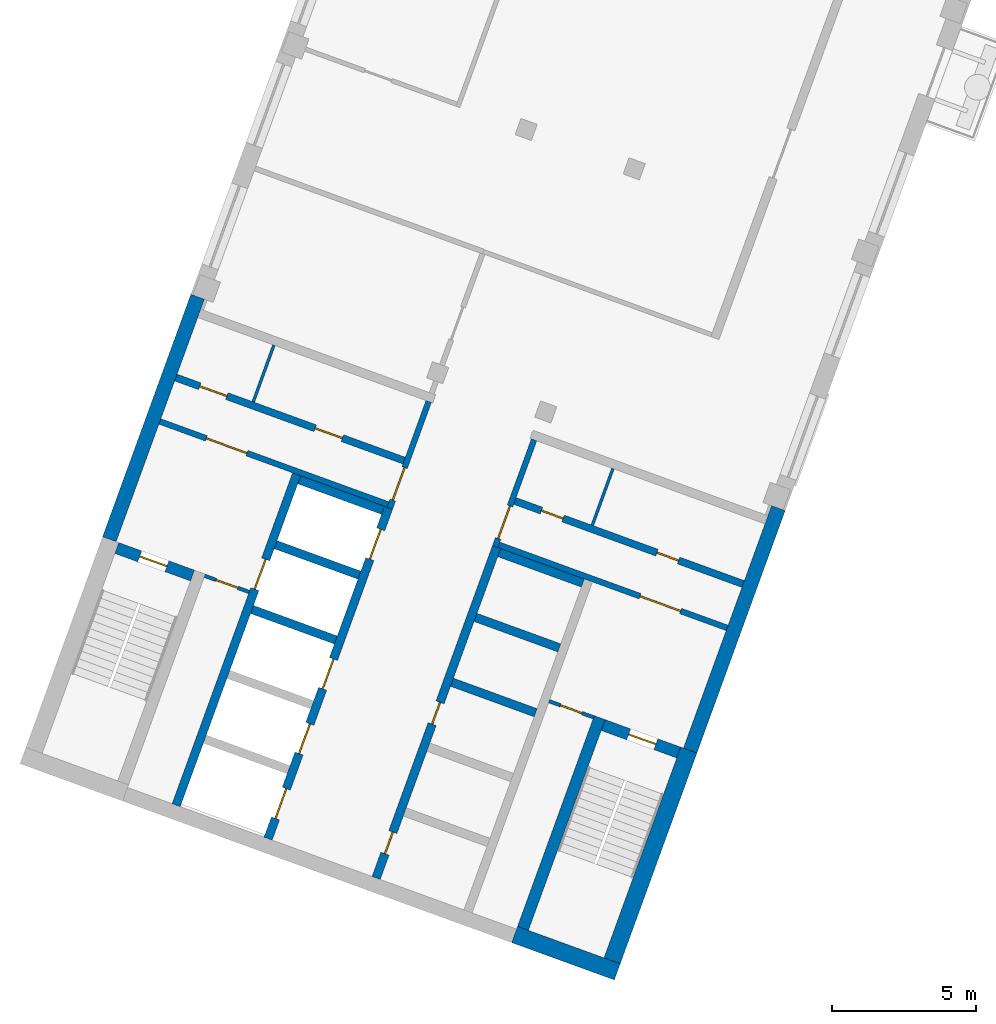
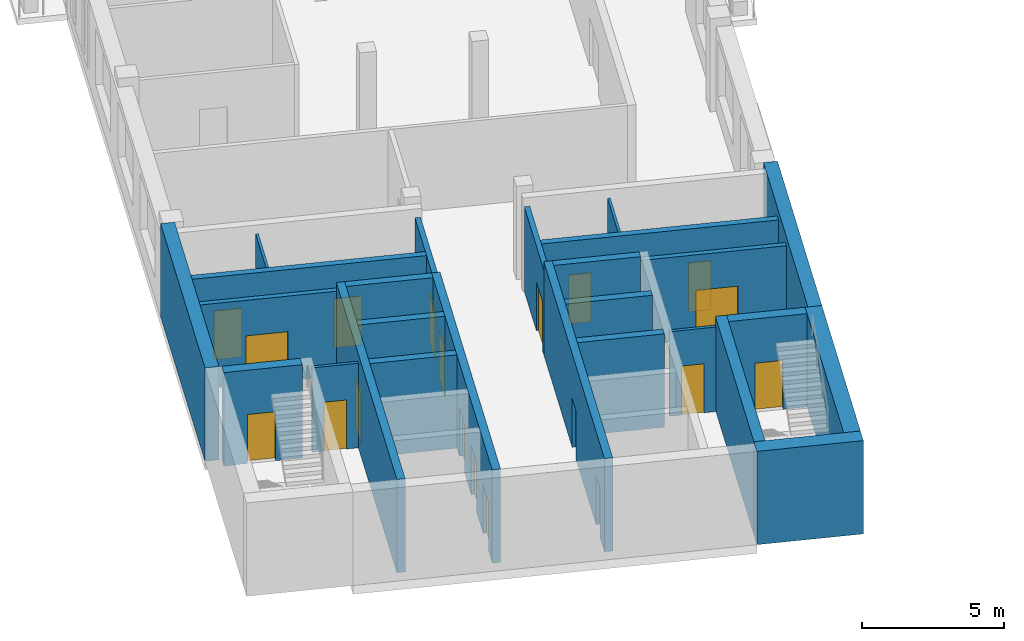
# One storey, part 2 of 10: 26 walls, 19 doors, 19 openings.
"""IFC4 building model written with IfcOpenShell, lengths in metres."""

from ifc_helpers import new_model, si_unit, direction, frame, frame_2d, origin, place, context, subcontext, project, spatial, rectangle, extrude, material, layer, layer_set, type_object, element, fill, save


model = new_model("IFC4")

# Units and contexts
model_context = context("Model", 3, precision=1e-05, world=origin(), true_north=direction((0.0, 1.0)))
body_context = subcontext(model_context, "Body", "Model", "MODEL_VIEW")
ifc_project = project(units=[si_unit("LENGTHUNIT", "METRE"), si_unit("AREAUNIT", "SQUARE_METRE"), si_unit("VOLUMEUNIT", "CUBIC_METRE"), si_unit("PLANEANGLEUNIT", "RADIAN"), si_unit("MASSUNIT", "GRAM", prefix="KILO")], contexts=[model_context])

# Site, building, storey
site_placement = place(None, origin())
site = spatial("IfcSite", under=ifc_project, at=site_placement, CompositionType="ELEMENT")
building_placement = place(site_placement, origin())
building = spatial("IfcBuilding", under=site, at=building_placement, Name="Skarvind Civic Tower", CompositionType="ELEMENT")
storey_placement = place(building_placement, frame((0.0, 0.0, 228.0)))
storey = spatial("IfcBuildingStorey", under=building, at=storey_placement, Name="L54", CompositionType="ELEMENT", Elevation=228.0)

# Wall, opening, door
ifc_material_1 = material(Name="Fire-rated masonry partition", Category="masonry")
ifc_layer_1 = layer(ifc_material_1, 0.199951171875)
ifc_layer_set_1 = layer_set([ifc_layer_1], Name="Core enclosure wall 200")
wall_type_1 = type_object("IfcWallType", Name="Core enclosure wall 200", PredefinedType="PARTITIONING", material=ifc_layer_set_1)
wall_1_placement = place(storey_placement, frame((31.42724609375, 93.663330078125, 0.0), z_axis=(0.0, 0.0, 1.0), x_axis=(0.342030870568, 0.93968871632, 0.0)))
wall_1 = element("IfcWall", 1, at=wall_1_placement, inside=storey, type_object=wall_type_1, Name="Core wall C2", PredefinedType="PARTITIONING", context=body_context, shape_type="SweptSolid", body=[
    extrude(rectangle(XDim=3.9501953125, YDim=0.199951171875, at=frame_2d((1.97509765625, 0.0))), origin(), (0.0, 0.0, 1.0), 3.625),
])
opening_1_placement = place(wall_1_placement, frame((0.300048828125, 0.0, 0.0)))
opening_1 = element("IfcOpeningElement", 2, at=opening_1_placement, cuts=wall_1, Name="Opening D-L54-C2-07", PredefinedType="OPENING", context=body_context, shape_type="SweptSolid", body=[
    extrude(rectangle(XDim=1.199951171875, YDim=2.10009765625, at=frame_2d((0.60009765625, 1.050048828125))), frame((0.0, 0.10986328125, 0.0), z_axis=(0.0, -1.0, 0.0), x_axis=(1.0, 0.0, 0.0)), (0.0, 0.0, 1.0), 0.219970703125),
])
ifc_material_2 = material(Name="Fire-rated steel door", Category="steel")
door_type_1 = type_object("IfcDoorType", Name="Core lobby door 1200", OperationType="NOTDEFINED", PredefinedType="DOOR", material=ifc_material_2)
door_1_placement = place(opening_1_placement, origin())
door_1 = element("IfcDoor", 3, at=door_1_placement, inside=storey, type_object=door_type_1, Name="Fire door", OperationType="DOUBLE_DOOR_SINGLE_SWING", OverallHeight=2.10009765625, OverallWidth=1.199951171875, PredefinedType="DOOR", context=body_context, shape_type="SweptSolid", body=[
    extrude(rectangle(XDim=1.199951171875, YDim=2.10009765625, at=frame_2d((0.60009765625, 1.050048828125))), frame((0.0, 0.02490234375, 0.0), z_axis=(0.0, -1.0, 0.0), x_axis=(1.0, 0.0, 0.0)), (0.0, 0.0, 1.0), 0.050048828125),
])
fill(opening_1, door_1)

wall_2_placement = place(storey_placement, frame((23.42724609375, 96.681640625, 0.0), z_axis=(0.0, 0.0, 1.0), x_axis=(0.939690465531, -0.342026064782, 0.0)))
wall_2 = element("IfcWall", 4, at=wall_2_placement, inside=storey, type_object=wall_type_1, Name="Core wall C2", PredefinedType="PARTITIONING", context=body_context, shape_type="SweptSolid", body=[
    extrude(rectangle(XDim=8.449951171875, YDim=0.199951171875, at=frame_2d((4.22509765625, 0.0))), origin(), (0.0, 0.0, 1.0), 3.625),
])
opening_2_placement = place(wall_2_placement, frame((1.72509765625, 0.0, 0.0)))
opening_2 = element("IfcOpeningElement", 5, at=opening_2_placement, cuts=wall_2, Name="Opening D-L54-C2-08", PredefinedType="OPENING", context=body_context, shape_type="SweptSolid", body=[
    extrude(rectangle(XDim=1.5, YDim=2.10009765625, at=frame_2d((0.75, 1.050048828125))), frame((0.0, 0.10986328125, 0.0), z_axis=(0.0, -1.0, 0.0), x_axis=(1.0, 0.0, 0.0)), (0.0, 0.0, 1.0), 0.219970703125),
])
door_type_2 = type_object("IfcDoorType", Name="Fire door 1500", OperationType="NOTDEFINED", PredefinedType="DOOR", material=ifc_material_2)
door_2_placement = place(opening_2_placement, origin())
door_2 = element("IfcDoor", 6, at=door_2_placement, inside=storey, type_object=door_type_2, Name="Fire door", OperationType="DOUBLE_DOOR_SINGLE_SWING", OverallHeight=2.10009765625, OverallWidth=1.5, PredefinedType="DOOR", context=body_context, shape_type="SweptSolid", body=[
    extrude(rectangle(XDim=1.5, YDim=2.10009765625, at=frame_2d((0.75, 1.050048828125))), frame((0.0, 0.02490234375, 0.0), z_axis=(0.0, -1.0, 0.0), x_axis=(1.0, 0.0, 0.0)), (0.0, 0.0, 1.0), 0.050048828125),
])
fill(opening_2, door_2)

wall_3_placement = place(storey_placement, frame((36.443115234375, 96.041259765625, 0.0), z_axis=(0.0, 0.0, 1.0), x_axis=(-0.341996156931, -0.939701350773, 0.0)))
wall_3 = element("IfcWall", 7, at=wall_3_placement, inside=storey, type_object=wall_type_1, Name="Core wall C2", PredefinedType="PARTITIONING", context=body_context, shape_type="SweptSolid", body=[
    extrude(rectangle(XDim=3.949951171875, YDim=0.199951171875, at=frame_2d((1.97509765625, 0.0))), origin(), (0.0, 0.0, 1.0), 3.625),
])
opening_3_placement = place(wall_3_placement, frame((2.449951171875, 0.0, 0.0)))
opening_3 = element("IfcOpeningElement", 8, at=opening_3_placement, cuts=wall_3, Name="Opening D-L54-C2-13", PredefinedType="OPENING", context=body_context, shape_type="SweptSolid", body=[
    extrude(rectangle(XDim=1.199951171875, YDim=2.10009765625, at=frame_2d((0.60009765625, 1.050048828125))), frame((0.0, 0.10986328125, 0.0), z_axis=(0.0, -1.0, 0.0), x_axis=(1.0, 0.0, 0.0)), (0.0, 0.0, 1.0), 0.219970703125),
])
door_3_placement = place(opening_3_placement, origin())
door_3 = element("IfcDoor", 9, at=door_3_placement, inside=storey, type_object=door_type_1, Name="Fire door", OperationType="DOUBLE_DOOR_SINGLE_SWING", OverallHeight=2.10009765625, OverallWidth=1.199951171875, PredefinedType="DOOR", context=body_context, shape_type="SweptSolid", body=[
    extrude(rectangle(XDim=1.199951171875, YDim=2.10009765625, at=frame_2d((0.60009765625, 1.050048828125))), frame((0.0, 0.02490234375, 0.0), z_axis=(0.0, -1.0, 0.0), x_axis=(1.0, 0.0, 0.0)), (0.0, 0.0, 1.0), 0.050048828125),
])
fill(opening_3, door_3)

wall_4_placement = place(storey_placement, frame((35.22021484375, 92.389404296875, 0.0), z_axis=(0.0, 0.0, 1.0), x_axis=(0.939690465531, -0.342026064782, 0.0)))
wall_4 = element("IfcWall", 10, at=wall_4_placement, inside=storey, type_object=wall_type_1, Name="Core wall C2", PredefinedType="PARTITIONING", context=body_context, shape_type="SweptSolid", body=[
    extrude(rectangle(XDim=8.449951171875, YDim=0.199951171875, at=frame_2d((4.22509765625, 0.0))), origin(), (0.0, 0.0, 1.0), 3.625),
])
opening_4_placement = place(wall_4_placement, frame((5.22509765625, 0.0, 0.0)))
opening_4 = element("IfcOpeningElement", 11, at=opening_4_placement, cuts=wall_4, Name="Opening D-L54-C2-14", PredefinedType="OPENING", context=body_context, shape_type="SweptSolid", body=[
    extrude(rectangle(XDim=1.5, YDim=2.10009765625, at=frame_2d((0.75, 1.050048828125))), frame((0.0, 0.10986328125, 0.0), z_axis=(0.0, -1.0, 0.0), x_axis=(1.0, 0.0, 0.0)), (0.0, 0.0, 1.0), 0.219970703125),
])
door_4_placement = place(opening_4_placement, origin())
door_4 = element("IfcDoor", 12, at=door_4_placement, inside=storey, type_object=door_type_2, Name="Fire door", OperationType="DOUBLE_DOOR_SINGLE_SWING", OverallHeight=2.10009765625, OverallWidth=1.5, PredefinedType="DOOR", context=body_context, shape_type="SweptSolid", body=[
    extrude(rectangle(XDim=1.5, YDim=2.10009765625, at=frame_2d((0.75, 1.050048828125))), frame((0.0, 0.02490234375, 0.0), z_axis=(0.0, -1.0, 0.0), x_axis=(1.0, 0.0, 0.0)), (0.0, 0.0, 1.0), 0.050048828125),
])
fill(opening_4, door_4)

# Walls
ifc_material_3 = material(Name="Fire-rated plasterboard partition")
ifc_layer_2 = layer(ifc_material_3, 0.10009765625)
ifc_layer_set_2 = layer_set([ifc_layer_2], Name="Core partition wall 100")
wall_type_2 = type_object("IfcWallType", Name="Core partition wall 100", PredefinedType="PARTITIONING", material=ifc_layer_set_2)
for number, where, z_axis, x_axis, name in (
    (13, (26.675537109375, 97.361572265625, 0.0), (0.0, 0.0, 1.0), (0.342023078919, 0.939691552312, 0.0), "Core wall C2"),
    (14, (39.18701171875, 95.04248046875, 0.0), (0.0, 0.0, 1.0), (-0.342023078919, -0.939691552312, 0.0), "Core wall C2"),
):
    element("IfcWall", number, at=place(storey_placement, frame(where, z_axis=z_axis, x_axis=x_axis)), inside=storey, type_object=wall_type_2, Name=name, PredefinedType="PARTITIONING", context=body_context, shape_type="SweptSolid", body=[
        extrude(rectangle(XDim=2.10009765625, YDim=0.10009765625, at=frame_2d((1.050048828125, 0.0))), origin(), (0.0, 0.0, 1.0), 3.625),
    ])

# Wall, openings, doors
ifc_material_4 = material(Name="Concrete C60", Category="concrete")
ifc_layer_3 = layer(ifc_material_4, 0.300048828125)
ifc_layer_set_3 = layer_set([ifc_layer_3], Name="Core wall 300 C60")
wall_type_3 = type_object("IfcWallType", Name="Core wall 300 C60", PredefinedType="SHEAR", material=ifc_layer_set_3)
wall_5_placement = place(storey_placement, frame((30.949462890625, 80.80126953125, 0.0), z_axis=(0.0, 0.0, 1.0), x_axis=(0.342016684409, 0.939693879721, 0.0)))
wall_5 = element("IfcWall", 15, at=wall_5_placement, inside=storey, type_object=wall_type_3, Name="Core wall C2 south lift row front L54", PredefinedType="SHEAR", context=body_context, shape_type="SweptSolid", body=[
    extrude(rectangle(XDim=12.25, YDim=0.300048828125, at=frame_2d((6.125, 0.0))), origin(), (0.0, 0.0, 1.0), 4.0),
])
opening_5_placement = place(wall_5_placement, frame((0.89990234375, 0.0, 0.0)))
opening_5 = element("IfcOpeningElement", 16, at=opening_5_placement, cuts=wall_5, Name="Opening D-L54-C2-05", PredefinedType="OPENING", context=body_context, shape_type="SweptSolid", body=[
    extrude(rectangle(XDim=0.800048828125, YDim=2.10009765625, at=frame_2d((0.39990234375, 1.050048828125))), frame((0.0, 0.159912109375, 0.0), z_axis=(0.0, -1.0, 0.0), x_axis=(1.0, 0.0, 0.0)), (0.0, 0.0, 1.0), 0.320068359375),
])
opening_6_placement = place(wall_5_placement, frame((5.699951171875, 0.0, 0.0)))
opening_6 = element("IfcOpeningElement", 17, at=opening_6_placement, cuts=wall_5, Name="Opening D-L54-C2-06", PredefinedType="OPENING", context=body_context, shape_type="SweptSolid", body=[
    extrude(rectangle(XDim=0.800048828125, YDim=2.10009765625, at=frame_2d((0.39990234375, 1.050048828125))), frame((0.0, 0.159912109375, 0.0), z_axis=(0.0, -1.0, 0.0), x_axis=(1.0, 0.0, 0.0)), (0.0, 0.0, 1.0), 0.320068359375),
])
door_type_3 = type_object("IfcDoorType", Name="Core riser door 800", OperationType="NOTDEFINED", PredefinedType="DOOR", material=ifc_material_2)
door_5_placement = place(opening_5_placement, origin())
door_5 = element("IfcDoor", 18, at=door_5_placement, inside=storey, type_object=door_type_3, Name="Riser door", OperationType="SINGLE_SWING_LEFT", OverallHeight=2.10009765625, OverallWidth=0.800048828125, PredefinedType="DOOR", context=body_context, shape_type="SweptSolid", body=[
    extrude(rectangle(XDim=0.800048828125, YDim=2.10009765625, at=frame_2d((0.39990234375, 1.050048828125))), frame((0.0, 0.02490234375, 0.0), z_axis=(0.0, -1.0, 0.0), x_axis=(1.0, 0.0, 0.0)), (0.0, 0.0, 1.0), 0.050048828125),
])
fill(opening_5, door_5)
door_6_placement = place(opening_6_placement, origin())
door_6 = element("IfcDoor", 19, at=door_6_placement, inside=storey, type_object=door_type_3, Name="Riser door", OperationType="SINGLE_SWING_RIGHT", OverallHeight=2.10009765625, OverallWidth=0.800048828125, PredefinedType="DOOR", context=body_context, shape_type="SweptSolid", body=[
    extrude(rectangle(XDim=0.800048828125, YDim=2.10009765625, at=frame_2d((0.39990234375, 1.050048828125))), frame((0.0, 0.02490234375, 0.0), z_axis=(0.0, -1.0, 0.0), x_axis=(1.0, 0.0, 0.0)), (0.0, 0.0, 1.0), 0.050048828125),
])
fill(opening_6, door_6)

# Walls
for number, where, z_axis, x_axis, name in (
    (20, (36.500244140625, 86.54931640625, 0.0), (0.0, 0.0, 1.0), (-0.939689908313, 0.342027595692, 0.0), "Core wall C2 south lift row division 3 L54"),
    (21, (37.321044921875, 88.8046875, 0.0), (0.0, 0.0, 1.0), (-0.939689908313, 0.342027595692, 0.0), "Core wall C2 south lift row division 4 L54"),
    (22, (38.141845703125, 91.059814453125, 0.0), (0.0, 0.0, 1.0), (-0.939689908313, 0.342027595692, 0.0), "Core wall C2 south lift row division 5 L54"),
):
    element("IfcWall", number, at=place(storey_placement, frame(where, z_axis=z_axis, x_axis=x_axis)), inside=storey, type_object=wall_type_3, Name=name, PredefinedType="SHEAR", context=body_context, shape_type="SweptSolid", body=[
        extrude(rectangle(XDim=3.10009765625, YDim=0.300048828125, at=frame_2d((1.550048828125, 0.0))), origin(), (0.0, 0.0, 1.0), 4.0),
    ])

# Wall, openings, doors
wall_6_placement = place(storey_placement, frame((27.190673828125, 82.169189453125, 0.0), z_axis=(0.0, 0.0, 1.0), x_axis=(0.342016684409, 0.939693879721, 0.0)))
wall_6 = element("IfcWall", 23, at=wall_6_placement, inside=storey, type_object=wall_type_3, Name="Core wall C2 north lift row front L54", PredefinedType="SHEAR", context=body_context, shape_type="SweptSolid", body=[
    extrude(rectangle(XDim=12.25, YDim=0.300048828125, at=frame_2d((6.125, 0.0))), origin(), (0.0, 0.0, 1.0), 4.0),
])
opening_7_placement = place(wall_6_placement, frame((0.75, 0.0, 0.0)))
opening_7 = element("IfcOpeningElement", 24, at=opening_7_placement, cuts=wall_6, Name="Opening LD56201", PredefinedType="OPENING", context=body_context, shape_type="SweptSolid", body=[
    extrude(rectangle(XDim=1.10009765625, YDim=2.10009765625, at=frame_2d((0.550048828125, 1.050048828125))), frame((0.0, 0.159912109375, 0.0), z_axis=(0.0, -1.0, 0.0), x_axis=(1.0, 0.0, 0.0)), (0.0, 0.0, 1.0), 0.320068359375),
])
opening_8_placement = place(wall_6_placement, frame((3.14990234375, 0.0, 0.0)))
opening_8 = element("IfcOpeningElement", 25, at=opening_8_placement, cuts=wall_6, Name="Opening LD56202", PredefinedType="OPENING", context=body_context, shape_type="SweptSolid", body=[
    extrude(rectangle(XDim=1.10009765625, YDim=2.10009765625, at=frame_2d((0.550048828125, 1.050048828125))), frame((0.0, 0.159912109375, 0.0), z_axis=(0.0, -1.0, 0.0), x_axis=(1.0, 0.0, 0.0)), (0.0, 0.0, 1.0), 0.320068359375),
])
opening_9_placement = place(wall_6_placement, frame((5.550048828125, 0.0, 0.0)))
opening_9 = element("IfcOpeningElement", 26, at=opening_9_placement, cuts=wall_6, Name="Opening LD56203", PredefinedType="OPENING", context=body_context, shape_type="SweptSolid", body=[
    extrude(rectangle(XDim=1.10009765625, YDim=2.10009765625, at=frame_2d((0.550048828125, 1.050048828125))), frame((0.0, 0.159912109375, 0.0), z_axis=(0.0, -1.0, 0.0), x_axis=(1.0, 0.0, 0.0)), (0.0, 0.0, 1.0), 0.320068359375),
])
opening_10_placement = place(wall_6_placement, frame((10.35009765625, 0.0, 0.0)))
opening_10 = element("IfcOpeningElement", 27, at=opening_10_placement, cuts=wall_6, Name="Opening LD56205", PredefinedType="OPENING", context=body_context, shape_type="SweptSolid", body=[
    extrude(rectangle(XDim=1.10009765625, YDim=2.10009765625, at=frame_2d((0.550048828125, 1.050048828125))), frame((0.0, 0.159912109375, 0.0), z_axis=(0.0, -1.0, 0.0), x_axis=(1.0, 0.0, 0.0)), (0.0, 0.0, 1.0), 0.320068359375),
])
ifc_material_5 = material(Name="Stainless steel landing door", Category="steel")
door_type_4 = type_object("IfcDoorType", Name="Lift landing door 1100", OperationType="DOUBLE_DOOR_SLIDING", PredefinedType="DOOR", material=ifc_material_5)
door_7_placement = place(opening_7_placement, origin())
door_7 = element("IfcDoor", 28, at=door_7_placement, inside=storey, type_object=door_type_4, Name="Lift landing door", OperationType="DOUBLE_DOOR_SLIDING", OverallHeight=2.10009765625, OverallWidth=1.10009765625, PredefinedType="DOOR", context=body_context, shape_type="SweptSolid", body=[
    extrude(rectangle(XDim=1.10009765625, YDim=2.10009765625, at=frame_2d((0.550048828125, 1.050048828125))), frame((0.0, 0.02490234375, 0.0), z_axis=(0.0, -1.0, 0.0), x_axis=(1.0, 0.0, 0.0)), (0.0, 0.0, 1.0), 0.050048828125),
])
fill(opening_7, door_7)
door_8_placement = place(opening_8_placement, origin())
door_8 = element("IfcDoor", 29, at=door_8_placement, inside=storey, type_object=door_type_4, Name="Lift landing door", OperationType="DOUBLE_DOOR_SLIDING", OverallHeight=2.10009765625, OverallWidth=1.10009765625, PredefinedType="DOOR", context=body_context, shape_type="SweptSolid", body=[
    extrude(rectangle(XDim=1.10009765625, YDim=2.10009765625, at=frame_2d((0.550048828125, 1.050048828125))), frame((0.0, 0.02490234375, 0.0), z_axis=(0.0, -1.0, 0.0), x_axis=(1.0, 0.0, 0.0)), (0.0, 0.0, 1.0), 0.050048828125),
])
fill(opening_8, door_8)
door_9_placement = place(opening_9_placement, origin())
door_9 = element("IfcDoor", 30, at=door_9_placement, inside=storey, type_object=door_type_4, Name="Lift landing door", OperationType="DOUBLE_DOOR_SLIDING", OverallHeight=2.10009765625, OverallWidth=1.10009765625, PredefinedType="DOOR", context=body_context, shape_type="SweptSolid", body=[
    extrude(rectangle(XDim=1.10009765625, YDim=2.10009765625, at=frame_2d((0.550048828125, 1.050048828125))), frame((0.0, 0.02490234375, 0.0), z_axis=(0.0, -1.0, 0.0), x_axis=(1.0, 0.0, 0.0)), (0.0, 0.0, 1.0), 0.050048828125),
])
fill(opening_9, door_9)
door_10_placement = place(opening_10_placement, origin())
door_10 = element("IfcDoor", 31, at=door_10_placement, inside=storey, type_object=door_type_4, Name="Lift landing door", OperationType="DOUBLE_DOOR_SLIDING", OverallHeight=2.10009765625, OverallWidth=1.10009765625, PredefinedType="DOOR", context=body_context, shape_type="SweptSolid", body=[
    extrude(rectangle(XDim=1.10009765625, YDim=2.10009765625, at=frame_2d((0.550048828125, 1.050048828125))), frame((0.0, 0.02490234375, 0.0), z_axis=(0.0, -1.0, 0.0), x_axis=(1.0, 0.0, 0.0)), (0.0, 0.0, 1.0), 0.050048828125),
])
fill(opening_10, door_10)

# Wall, opening, door
wall_7_placement = place(storey_placement, frame((23.99560546875, 83.33203125, 0.0), z_axis=(0.0, 0.0, 1.0), x_axis=(0.342016684409, 0.939693879721, 0.0)))
wall_7 = element("IfcWall", 32, at=wall_7_placement, inside=storey, type_object=wall_type_3, Name="Core wall C2 north lift row back L54", PredefinedType="SHEAR", context=body_context, shape_type="SweptSolid", body=[
    extrude(rectangle(XDim=12.25, YDim=0.300048828125, at=frame_2d((6.125, 0.0))), origin(), (0.0, 0.0, 1.0), 4.0),
])
opening_11_placement = place(wall_7_placement, frame((8.0, 0.0, 0.0)))
opening_11 = element("IfcOpeningElement", 33, at=opening_11_placement, cuts=wall_7, Name="Opening LD56204", PredefinedType="OPENING", context=body_context, shape_type="SweptSolid", body=[
    extrude(rectangle(XDim=1.10009765625, YDim=2.10009765625, at=frame_2d((0.550048828125, 1.050048828125))), frame((0.0, 0.159912109375, 0.0), z_axis=(0.0, -1.0, 0.0), x_axis=(1.0, 0.0, 0.0)), (0.0, 0.0, 1.0), 0.320068359375),
])
door_11_placement = place(opening_11_placement, origin())
door_11 = element("IfcDoor", 34, at=door_11_placement, inside=storey, type_object=door_type_4, Name="Lift landing door", OperationType="DOUBLE_DOOR_SLIDING", OverallHeight=2.10009765625, OverallWidth=1.10009765625, PredefinedType="DOOR", context=body_context, shape_type="SweptSolid", body=[
    extrude(rectangle(XDim=1.10009765625, YDim=2.10009765625, at=frame_2d((0.550048828125, 1.050048828125))), frame((0.0, 0.02490234375, 0.0), z_axis=(0.0, -1.0, 0.0), x_axis=(1.0, 0.0, 0.0)), (0.0, 0.0, 1.0), 0.050048828125),
])
fill(opening_11, door_11)

# Walls
wall_8_placement = place(storey_placement, frame((29.54638671875, 89.080322265625, 0.0), z_axis=(0.0, 0.0, 1.0), x_axis=(-0.939689908313, 0.342027595692, 0.0)))
element("IfcWall", 35, at=wall_8_placement, inside=storey, type_object=wall_type_3, Name="Core wall C2 north lift row division 3 L54", PredefinedType="SHEAR", context=body_context, shape_type="SweptSolid", body=[
    extrude(rectangle(XDim=3.10009765625, YDim=0.300048828125, at=frame_2d((1.550048828125, 0.0))), origin(), (0.0, 0.0, 1.0), 4.0),
])
for number, where, z_axis, x_axis, name in (
    (36, (30.3671875, 91.335693359375, 0.0), (0.0, 0.0, 1.0), (-0.939715217871, 0.341958051961, 0.0), "Core wall C2 north lift row division 4 L54"),
    (37, (31.18798828125, 93.5908203125, 0.0), (0.0, 0.0, 1.0), (-0.939680694448, 0.342052908892, 0.0), "Core wall C2 north lift row division 5 L54"),
):
    element("IfcWall", number, at=place(storey_placement, frame(where, z_axis=z_axis, x_axis=x_axis)), inside=storey, type_object=wall_type_3, Name=name, PredefinedType="SHEAR", context=body_context, shape_type="SweptSolid", body=[
        extrude(rectangle(XDim=3.099853515625, YDim=0.300048828125, at=frame_2d((1.5498046875, 0.0))), origin(), (0.0, 0.0, 1.0), 4.0),
    ])
ifc_layer_4 = layer(ifc_material_4, 0.39990234375)
ifc_layer_set_4 = layer_set([ifc_layer_4], Name="Core wall 400 C60")
wall_type_4 = type_object("IfcWallType", Name="Core wall 400 C60", PredefinedType="SHEAR", material=ifc_layer_set_4)
wall_9_placement = place(storey_placement, frame((36.057861328125, 79.04833984375, 0.0), z_axis=(0.0, 0.0, 1.0), x_axis=(0.342016982193, 0.939693771338, 0.0)))
element("IfcWall", 38, at=wall_9_placement, inside=storey, type_object=wall_type_4, Name="Core wall C2 south stair inner L54", PredefinedType="SHEAR", context=body_context, shape_type="SweptSolid", body=[
    extrude(rectangle(XDim=7.800048828125, YDim=0.39990234375, at=frame_2d((3.89990234375, 0.0))), origin(), (0.0, 0.0, 1.0), 4.0),
])

# Wall, opening, door
wall_10_placement = place(storey_placement, frame((41.476318359375, 85.163818359375, 0.0), z_axis=(0.0, 0.0, 1.0), x_axis=(-0.939678810556, 0.342058084236, 0.0)))
wall_10 = element("IfcWall", 39, at=wall_10_placement, inside=storey, type_object=wall_type_4, Name="Core wall C2 south stair end L54", PredefinedType="SHEAR", context=body_context, shape_type="SweptSolid", body=[
    extrude(rectangle(XDim=2.800048828125, YDim=0.39990234375, at=frame_2d((1.39990234375, 0.0))), origin(), (0.0, 0.0, 1.0), 4.0),
])
opening_12_placement = place(wall_10_placement, frame((0.85009765625, 0.0, 0.0)))
opening_12 = element("IfcOpeningElement", 40, at=opening_12_placement, cuts=wall_10, Name="Opening D-L54-C2-15", PredefinedType="OPENING", context=body_context, shape_type="SweptSolid", body=[
    extrude(rectangle(XDim=1.0, YDim=2.10009765625, at=frame_2d((0.5, 1.050048828125))), frame((0.0, 0.2099609375, 0.0), z_axis=(0.0, -1.0, 0.0), x_axis=(1.0, 0.0, 0.0)), (0.0, 0.0, 1.0), 0.419921875),
])
door_type_5 = type_object("IfcDoorType", Name="Fire door 1000", OperationType="NOTDEFINED", PredefinedType="DOOR", material=ifc_material_2)
door_12_placement = place(opening_12_placement, origin())
door_12 = element("IfcDoor", 41, at=door_12_placement, inside=storey, type_object=door_type_5, Name="Fire door", OperationType="SINGLE_SWING_RIGHT", OverallHeight=2.10009765625, OverallWidth=1.0, PredefinedType="DOOR", context=body_context, shape_type="SweptSolid", body=[
    extrude(rectangle(XDim=1.0, YDim=2.10009765625, at=frame_2d((0.5, 1.050048828125))), frame((0.0, 0.02490234375, 0.0), z_axis=(0.0, -1.0, 0.0), x_axis=(1.0, 0.0, 0.0)), (0.0, 0.0, 1.0), 0.050048828125),
])
fill(opening_12, door_12)

wall_11_placement = place(storey_placement, frame((24.56201171875, 91.3203125, 0.0), z_axis=(0.0, 0.0, 1.0), x_axis=(-0.939717030584, 0.341953070509, 0.0)))
wall_11 = element("IfcWall", 42, at=wall_11_placement, inside=storey, type_object=wall_type_4, Name="Core wall C2 north stair end L54", PredefinedType="SHEAR", context=body_context, shape_type="SweptSolid", body=[
    extrude(rectangle(XDim=2.800048828125, YDim=0.39990234375, at=frame_2d((1.39990234375, 0.0))), origin(), (0.0, 0.0, 1.0), 4.0),
])
opening_13_placement = place(wall_11_placement, frame((0.949951171875, 0.0, 0.0)))
opening_13 = element("IfcOpeningElement", 43, at=opening_13_placement, cuts=wall_11, Name="Opening D-L54-C2-09", PredefinedType="OPENING", context=body_context, shape_type="SweptSolid", body=[
    extrude(rectangle(XDim=1.0, YDim=2.10009765625, at=frame_2d((0.5, 1.050048828125))), frame((0.0, 0.2099609375, 0.0), z_axis=(0.0, -1.0, 0.0), x_axis=(1.0, 0.0, 0.0)), (0.0, 0.0, 1.0), 0.419921875),
])
door_13_placement = place(opening_13_placement, origin())
door_13 = element("IfcDoor", 44, at=door_13_placement, inside=storey, type_object=door_type_5, Name="Fire door", OperationType="SINGLE_SWING_LEFT", OverallHeight=2.10009765625, OverallWidth=1.0, PredefinedType="DOOR", context=body_context, shape_type="SweptSolid", body=[
    extrude(rectangle(XDim=1.0, YDim=2.10009765625, at=frame_2d((0.5, 1.050048828125))), frame((0.0, 0.02490234375, 0.0), z_axis=(0.0, -1.0, 0.0), x_axis=(1.0, 0.0, 0.0)), (0.0, 0.0, 1.0), 0.050048828125),
])
fill(opening_13, door_13)

# Walls
ifc_layer_5 = layer(ifc_material_4, 0.5)
ifc_layer_set_5 = layer_set([ifc_layer_5], Name="Core wall 500 C60")
wall_type_5 = type_object("IfcWallType", Name="Core wall 500 C60", PredefinedType="SHEAR", material=ifc_layer_set_5)
wall_12_placement = place(storey_placement, frame((41.873779296875, 85.232177734375, 0.0), z_axis=(0.0, 0.0, 1.0), x_axis=(0.342020437038, 0.939692513883, 0.0)))
element("IfcWall", 45, at=wall_12_placement, inside=storey, type_object=wall_type_5, Name="Core wall C2 south side L54", PredefinedType="SHEAR", context=body_context, shape_type="SweptSolid", body=[
    extrude(rectangle(XDim=8.974853515625, YDim=0.5, at=frame_2d((4.4873046875, 0.0))), origin(), (0.0, 0.0, 1.0), 4.0),
])
wall_13_placement = place(storey_placement, frame((21.670166015625, 92.58544921875, 0.0), z_axis=(0.0, 0.0, 1.0), x_axis=(0.342035714298, 0.93968695327, 0.0)))
element("IfcWall", 46, at=wall_13_placement, inside=storey, type_object=wall_type_5, Name="Core wall C2 north side L54", PredefinedType="SHEAR", context=body_context, shape_type="SweptSolid", body=[
    extrude(rectangle(XDim=8.97509765625, YDim=0.5, at=frame_2d((4.487548828125, 0.0))), origin(), (0.0, 0.0, 1.0), 4.0),
])
ifc_layer_6 = layer(ifc_material_4, 0.60009765625)
ifc_layer_set_6 = layer_set([ifc_layer_6], Name="Core wall 600 C60")
wall_type_6 = type_object("IfcWallType", Name="Core wall 600 C60", PredefinedType="SHEAR", material=ifc_layer_set_6)
wall_14_placement = place(storey_placement, frame((39.338134765625, 77.53515625, 0.0), z_axis=(0.0, 0.0, 1.0), x_axis=(-0.939701471648, 0.341995824804, 0.0)))
element("IfcWall", 47, at=wall_14_placement, inside=storey, type_object=wall_type_6, Name="Core wall C2 tip at the south stair L54", PredefinedType="SHEAR", context=body_context, shape_type="SweptSolid", body=[
    extrude(rectangle(XDim=3.800048828125, YDim=0.60009765625, at=frame_2d((1.89990234375, 0.0))), origin(), (0.0, 0.0, 1.0), 4.0),
])
wall_15_placement = place(storey_placement, frame((39.158935546875, 77.919677734375, 0.0), z_axis=(0.0, 0.0, 1.0), x_axis=(0.342016982193, 0.939693771338, 0.0)))
element("IfcWall", 48, at=wall_15_placement, inside=storey, type_object=wall_type_6, Name="Core wall C2 south side at the stair L54", PredefinedType="SHEAR", context=body_context, shape_type="SweptSolid", body=[
    extrude(rectangle(XDim=7.800048828125, YDim=0.60009765625, at=frame_2d((3.89990234375, 0.0))), origin(), (0.0, 0.0, 1.0), 4.0),
])

# Wall, opening, door
ifc_layer_7 = layer(ifc_material_1, 0.125)
ifc_layer_set_7 = layer_set([ifc_layer_7], Name="Riser wall 125")
wall_type_7 = type_object("IfcWallType", Name="Riser wall 125", PredefinedType="PARTITIONING", material=ifc_layer_set_7)
wall_16_placement = place(storey_placement, frame((24.98486328125, 91.3125, 0.0), z_axis=(0.0, 0.0, 1.0), x_axis=(0.939719959755, -0.341945020783, 0.0)))
wall_16 = element("IfcWall", 49, at=wall_16_placement, inside=storey, type_object=wall_type_7, Name="Core wall C2", PredefinedType="PARTITIONING", context=body_context, shape_type="SweptSolid", body=[
    extrude(rectangle(XDim=1.64990234375, YDim=0.125, at=frame_2d((0.824951171875, 0.0))), origin(), (0.0, 0.0, 1.0), 3.625),
])
opening_14_placement = place(wall_16_placement, frame((0.425048828125, 0.0, 0.0)))
opening_14 = element("IfcOpeningElement", 50, at=opening_14_placement, cuts=wall_16, Name="Opening D-L54-C2-10", PredefinedType="OPENING", context=body_context, shape_type="SweptSolid", body=[
    extrude(rectangle(XDim=0.800048828125, YDim=2.10009765625, at=frame_2d((0.39990234375, 1.050048828125))), frame((0.0, 0.072509765625, 0.0), z_axis=(0.0, -1.0, 0.0), x_axis=(1.0, 0.0, 0.0)), (0.0, 0.0, 1.0), 0.14501953125),
])
door_14_placement = place(opening_14_placement, origin())
door_14 = element("IfcDoor", 51, at=door_14_placement, inside=storey, type_object=door_type_3, Name="Riser door", OperationType="SINGLE_SWING_RIGHT", OverallHeight=2.10009765625, OverallWidth=0.800048828125, PredefinedType="DOOR", context=body_context, shape_type="SweptSolid", body=[
    extrude(rectangle(XDim=0.800048828125, YDim=2.10009765625, at=frame_2d((0.39990234375, 1.050048828125))), frame((0.0, 0.02490234375, 0.0), z_axis=(0.0, -1.0, 0.0), x_axis=(1.0, 0.0, 0.0)), (0.0, 0.0, 1.0), 0.050048828125),
])
fill(opening_14, door_14)

wall_17_placement = place(storey_placement, frame((36.9658203125, 86.951904296875, 0.0), z_axis=(0.0, 0.0, 1.0), x_axis=(0.939672407396, -0.342075674051, 0.0)))
wall_17 = element("IfcWall", 52, at=wall_17_placement, inside=storey, type_object=wall_type_7, Name="Core wall C2", PredefinedType="PARTITIONING", context=body_context, shape_type="SweptSolid", body=[
    extrude(rectangle(XDim=1.650146484375, YDim=0.125, at=frame_2d((0.8251953125, 0.0))), origin(), (0.0, 0.0, 1.0), 3.625),
])
opening_15_placement = place(wall_17_placement, frame((0.425048828125, 0.0, 0.0)))
opening_15 = element("IfcOpeningElement", 53, at=opening_15_placement, cuts=wall_17, Name="Opening D-L54-C2-16", PredefinedType="OPENING", context=body_context, shape_type="SweptSolid", body=[
    extrude(rectangle(XDim=0.800048828125, YDim=2.10009765625, at=frame_2d((0.39990234375, 1.050048828125))), frame((0.0, 0.072509765625, 0.0), z_axis=(0.0, -1.0, 0.0), x_axis=(1.0, 0.0, 0.0)), (0.0, 0.0, 1.0), 0.14501953125),
])
door_15_placement = place(opening_15_placement, origin())
door_15 = element("IfcDoor", 54, at=door_15_placement, inside=storey, type_object=door_type_3, Name="Riser door", OperationType="SINGLE_SWING_LEFT", OverallHeight=2.10009765625, OverallWidth=0.800048828125, PredefinedType="DOOR", context=body_context, shape_type="SweptSolid", body=[
    extrude(rectangle(XDim=0.800048828125, YDim=2.10009765625, at=frame_2d((0.39990234375, 1.050048828125))), frame((0.0, 0.02490234375, 0.0), z_axis=(0.0, -1.0, 0.0), x_axis=(1.0, 0.0, 0.0)), (0.0, 0.0, 1.0), 0.050048828125),
])
fill(opening_15, door_15)

# Wall, openings, doors
ifc_layer_8 = layer(ifc_material_1, 0.25)
ifc_layer_set_8 = layer_set([ifc_layer_8], Name="Service block wall 250")
wall_type_8 = type_object("IfcWallType", Name="Service block wall 250", PredefinedType="PARTITIONING", material=ifc_layer_set_8)
wall_18_placement = place(storey_placement, frame((23.98291015625, 98.20849609375, 0.0), z_axis=(0.0, 0.0, 1.0), x_axis=(0.939699751196, -0.342000552051, 0.0)))
wall_18 = element("IfcWall", 55, at=wall_18_placement, inside=storey, type_object=wall_type_8, Name="Core wall C2", PredefinedType="PARTITIONING", context=body_context, shape_type="SweptSolid", body=[
    extrude(rectangle(XDim=8.449951171875, YDim=0.25, at=frame_2d((4.22509765625, 0.0))), origin(), (0.0, 0.0, 1.0), 3.625),
])
opening_16_placement = place(wall_18_placement, frame((5.159912109375, 0.0, 0.0)))
opening_16 = element("IfcOpeningElement", 56, at=opening_16_placement, cuts=wall_18, Name="Opening D-L54-C2-11", PredefinedType="OPENING", context=body_context, shape_type="SweptSolid", body=[
    extrude(rectangle(XDim=1.0, YDim=2.10009765625, at=frame_2d((0.5, 1.050048828125))), frame((0.0, 0.135009765625, 0.0), z_axis=(0.0, -1.0, 0.0), x_axis=(1.0, 0.0, 0.0)), (0.0, 0.0, 1.0), 0.27001953125),
])
opening_17_placement = place(wall_18_placement, frame((0.885009765625, 0.0, 0.0)))
opening_17 = element("IfcOpeningElement", 57, at=opening_17_placement, cuts=wall_18, Name="Opening D-L54-C2-12", PredefinedType="OPENING", context=body_context, shape_type="SweptSolid", body=[
    extrude(rectangle(XDim=1.0, YDim=2.10009765625, at=frame_2d((0.5, 1.050048828125))), frame((0.0, 0.135009765625, 0.0), z_axis=(0.0, -1.0, 0.0), x_axis=(1.0, 0.0, 0.0)), (0.0, 0.0, 1.0), 0.27001953125),
])
door_16_placement = place(opening_16_placement, origin())
door_16 = element("IfcDoor", 58, at=door_16_placement, inside=storey, type_object=door_type_5, Name="Fire door", OperationType="SINGLE_SWING_LEFT", OverallHeight=2.10009765625, OverallWidth=1.0, PredefinedType="DOOR", context=body_context, shape_type="SweptSolid", body=[
    extrude(rectangle(XDim=1.0, YDim=2.10009765625, at=frame_2d((0.5, 1.050048828125))), frame((0.0, 0.02490234375, 0.0), z_axis=(0.0, -1.0, 0.0), x_axis=(1.0, 0.0, 0.0)), (0.0, 0.0, 1.0), 0.050048828125),
])
fill(opening_16, door_16)
door_17_placement = place(opening_17_placement, origin())
door_17 = element("IfcDoor", 59, at=door_17_placement, inside=storey, type_object=door_type_5, Name="Fire door", OperationType="SINGLE_SWING_RIGHT", OverallHeight=2.10009765625, OverallWidth=1.0, PredefinedType="DOOR", context=body_context, shape_type="SweptSolid", body=[
    extrude(rectangle(XDim=1.0, YDim=2.10009765625, at=frame_2d((0.5, 1.050048828125))), frame((0.0, 0.02490234375, 0.0), z_axis=(0.0, -1.0, 0.0), x_axis=(1.0, 0.0, 0.0)), (0.0, 0.0, 1.0), 0.050048828125),
])
fill(opening_17, door_17)

wall_19_placement = place(storey_placement, frame((35.776123046875, 93.916259765625, 0.0), z_axis=(0.0, 0.0, 1.0), x_axis=(0.939690465531, -0.342026064782, 0.0)))
wall_19 = element("IfcWall", 60, at=wall_19_placement, inside=storey, type_object=wall_type_8, Name="Core wall C2", PredefinedType="PARTITIONING", context=body_context, shape_type="SweptSolid", body=[
    extrude(rectangle(XDim=8.449951171875, YDim=0.25, at=frame_2d((4.22509765625, 0.0))), origin(), (0.0, 0.0, 1.0), 3.625),
])
opening_18_placement = place(wall_19_placement, frame((0.985107421875, 0.0, 0.0)))
opening_18 = element("IfcOpeningElement", 61, at=opening_18_placement, cuts=wall_19, Name="Opening D-L54-C2-17", PredefinedType="OPENING", context=body_context, shape_type="SweptSolid", body=[
    extrude(rectangle(XDim=0.800048828125, YDim=2.10009765625, at=frame_2d((0.39990234375, 1.050048828125))), frame((0.0, 0.135009765625, 0.0), z_axis=(0.0, -1.0, 0.0), x_axis=(1.0, 0.0, 0.0)), (0.0, 0.0, 1.0), 0.27001953125),
])
opening_19_placement = place(wall_19_placement, frame((5.260009765625, 0.0, 0.0)))
opening_19 = element("IfcOpeningElement", 62, at=opening_19_placement, cuts=wall_19, Name="Opening D-L54-C2-18", PredefinedType="OPENING", context=body_context, shape_type="SweptSolid", body=[
    extrude(rectangle(XDim=0.800048828125, YDim=2.10009765625, at=frame_2d((0.39990234375, 1.050048828125))), frame((0.0, 0.135009765625, 0.0), z_axis=(0.0, -1.0, 0.0), x_axis=(1.0, 0.0, 0.0)), (0.0, 0.0, 1.0), 0.27001953125),
])
door_18_placement = place(opening_18_placement, origin())
door_18 = element("IfcDoor", 63, at=door_18_placement, inside=storey, type_object=door_type_3, Name="Riser door", OperationType="SINGLE_SWING_RIGHT", OverallHeight=2.10009765625, OverallWidth=0.800048828125, PredefinedType="DOOR", context=body_context, shape_type="SweptSolid", body=[
    extrude(rectangle(XDim=0.800048828125, YDim=2.10009765625, at=frame_2d((0.39990234375, 1.050048828125))), frame((0.0, 0.02490234375, 0.0), z_axis=(0.0, -1.0, 0.0), x_axis=(1.0, 0.0, 0.0)), (0.0, 0.0, 1.0), 0.050048828125),
])
fill(opening_18, door_18)
door_19_placement = place(opening_19_placement, origin())
door_19 = element("IfcDoor", 64, at=door_19_placement, inside=storey, type_object=door_type_3, Name="Riser door", OperationType="SINGLE_SWING_LEFT", OverallHeight=2.10009765625, OverallWidth=0.800048828125, PredefinedType="DOOR", context=body_context, shape_type="SweptSolid", body=[
    extrude(rectangle(XDim=0.800048828125, YDim=2.10009765625, at=frame_2d((0.39990234375, 1.050048828125))), frame((0.0, 0.02490234375, 0.0), z_axis=(0.0, -1.0, 0.0), x_axis=(1.0, 0.0, 0.0)), (0.0, 0.0, 1.0), 0.050048828125),
])
fill(opening_19, door_19)

save(model, "model.ifc")
